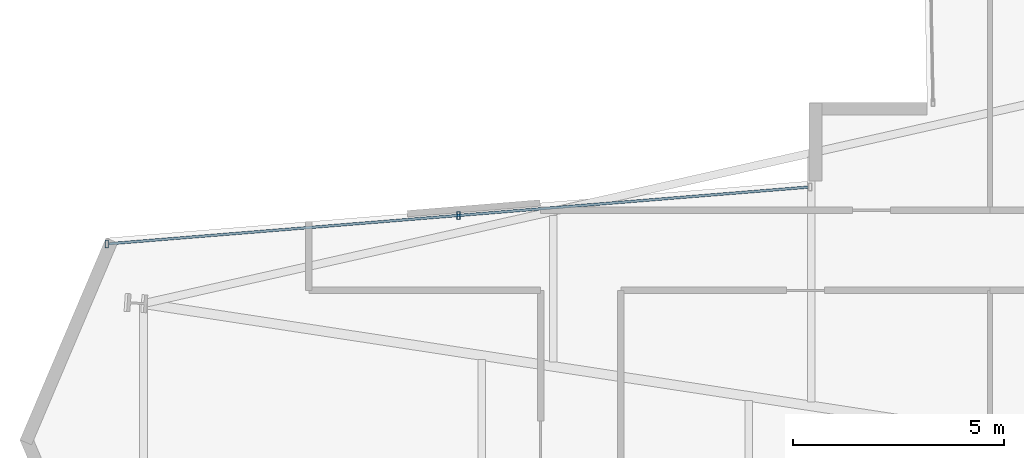
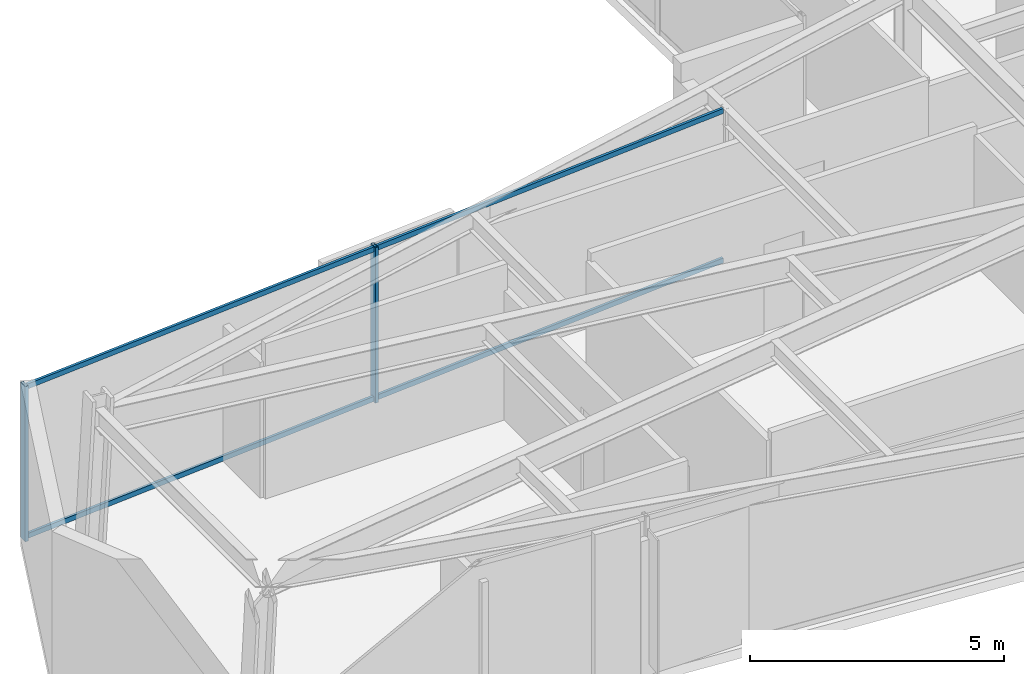
# One storey, part 7 of 25: 4 members, 1 element without a shape of its own.
"""IFC4 building model written with IfcOpenShell, lengths in metres."""

from ifc_helpers import new_model, si_unit, direction, frame, origin, origin_2d, place, context, subcontext, project, spatial, hollow_rectangle, extrude, material, layer, layer_set, material_profile, profile_set, type_object, element, aggregate, save


model = new_model("IFC4")

# Units and contexts
model_context = context("Model", 3, precision=1e-05, world=origin(), true_north=direction((0.0, 1.0)))
body_context = subcontext(model_context, "Body", "Model", "MODEL_VIEW")
ifc_project = project(units=[si_unit("LENGTHUNIT", "METRE"), si_unit("AREAUNIT", "SQUARE_METRE"), si_unit("VOLUMEUNIT", "CUBIC_METRE"), si_unit("PLANEANGLEUNIT", "RADIAN"), si_unit("MASSUNIT", "GRAM", prefix="KILO")], contexts=[model_context])

# Site, building, storey
site_placement = place(None, origin())
site = spatial("IfcSite", under=ifc_project, at=site_placement, CompositionType="ELEMENT")
building_placement = place(site_placement, origin())
building = spatial("IfcBuilding", under=site, at=building_placement, Name="Veymaron Broadcast Tower", CompositionType="ELEMENT")
storey_placement = place(building_placement, frame((0.0, 0.0, 102.60009765625)))
storey = spatial("IfcBuildingStorey", under=building, at=storey_placement, Name="L23", CompositionType="ELEMENT", Elevation=102.60009765625)

# Curtain wall, members
ifc_material_1 = material(Name="Anodised aluminium AA 6063-T6 and laminated low-E dark glass", Category="aluminium")
ifc_layer = layer(ifc_material_1, 0.179931640625)
ifc_layer_set = layer_set([ifc_layer], Name="Anodised aluminium AA 6063-T6 and laminated low-E dark glass")
curtain_wall_type = type_object("IfcCurtainWallType", Name="CW-SYS-02", PredefinedType="NOTDEFINED", material=ifc_layer_set)
curtain_wall_placement = place(storey_placement, origin())
curtain_wall = element("IfcCurtainWall", 1, at=curtain_wall_placement, inside=storey, type_object=curtain_wall_type, Name="L23 dark-glass curtain wall CW-L23-E11-1", PredefinedType="NOTDEFINED")
ifc_material_2 = material(Name="Anodised aluminium AA 6063-T6", Category="aluminium")
ifc_material_profile_1 = material_profile(ifc_material_2, hollow_rectangle(XDim=0.074951171875, YDim=0.179931640625, WallThickness=0.0048828125, at=origin_2d()), Name="AL180X75X5")
ifc_profile_set_1 = profile_set([ifc_material_profile_1], Name="Anodised aluminium AA 6063-T6")
member_type_1 = type_object("IfcMemberType", Name="CW-MUL-02", PredefinedType="MULLION", material=ifc_profile_set_1)
member_1_placement = place(storey_placement, frame((17.55126953125, 29.327392578125, 0.0), z_axis=(0.0, 0.0, 1.0), x_axis=(1.0, 0.0, 0.0)))
member_1 = element("IfcMember", 2, at=member_1_placement, type_object=member_type_1, Name="CW-L23-E11-1 mullion 1", PredefinedType="MULLION", context=body_context, shape_type="SweptSolid", body=[
    extrude(hollow_rectangle(XDim=0.074951171875, YDim=0.179931640625, WallThickness=0.0048828125, at=origin_2d()), origin(), (0.0, 0.0, 1.0), 3.72998046875),
])
member_2_placement = place(storey_placement, frame((9.211181640625, 28.65185546875, 0.0), z_axis=(0.0, 0.0, 1.0), x_axis=(1.0, 0.0, 0.0)))
member_2 = element("IfcMember", 3, at=member_2_placement, type_object=member_type_1, Name="CW-L23-E11-1 mullion 2", PredefinedType="MULLION", context=body_context, shape_type="SweptSolid", body=[
    extrude(hollow_rectangle(XDim=0.074951171875, YDim=0.179931640625, WallThickness=0.0048828125, at=origin_2d()), origin(), (0.0, 0.0, 1.0), 3.72998046875),
])
ifc_material_profile_2 = material_profile(ifc_material_2, hollow_rectangle(XDim=0.06005859375, YDim=0.1201171875, WallThickness=0.00390625, at=origin_2d()), Name="AL120X60X4")
ifc_profile_set_2 = profile_set([ifc_material_profile_2], Name="Anodised aluminium AA 6063-T6")
member_type_2 = type_object("IfcMemberType", Name="CW-TRN-02", PredefinedType="USERDEFINED", material=ifc_profile_set_2)
member_3_placement = place(storey_placement, frame((25.841552734375, 29.9990234375, 0.06982421875), z_axis=(-0.99673559492, -0.08073508419, 0.0), x_axis=(0.08073508419, -0.99673559492, 0.0)))
member_3 = element("IfcMember", 4, at=member_3_placement, type_object=member_type_2, Name="CW-L23-E11-1 transom B", ObjectType="TRANSOM", PredefinedType="USERDEFINED", context=body_context, shape_type="SweptSolid", body=[
    extrude(hollow_rectangle(XDim=0.06005859375, YDim=0.1201171875, WallThickness=0.00390625, at=origin_2d()), origin(), (0.0, 0.0, 1.0), 16.634765625),
])
member_4_placement = place(storey_placement, frame((25.841552734375, 29.9990234375, 3.659912109375), z_axis=(-0.99673559492, -0.08073508419, 0.0), x_axis=(0.08073508419, -0.99673559492, 0.0)))
member_4 = element("IfcMember", 5, at=member_4_placement, type_object=member_type_2, Name="CW-L23-E11-1 transom T", ObjectType="TRANSOM", PredefinedType="USERDEFINED", context=body_context, shape_type="SweptSolid", body=[
    extrude(hollow_rectangle(XDim=0.06005859375, YDim=0.1201171875, WallThickness=0.00390625, at=origin_2d()), origin(), (0.0, 0.0, 1.0), 16.634765625),
])
aggregate(curtain_wall, [member_1, member_2, member_3, member_4])

save(model, "model.ifc")
